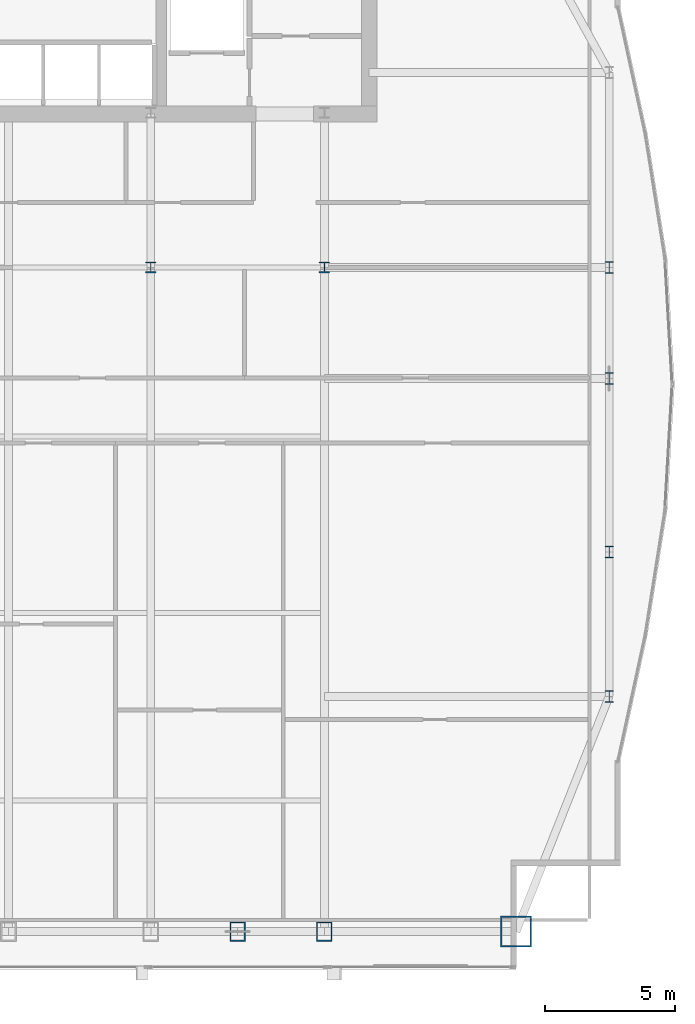
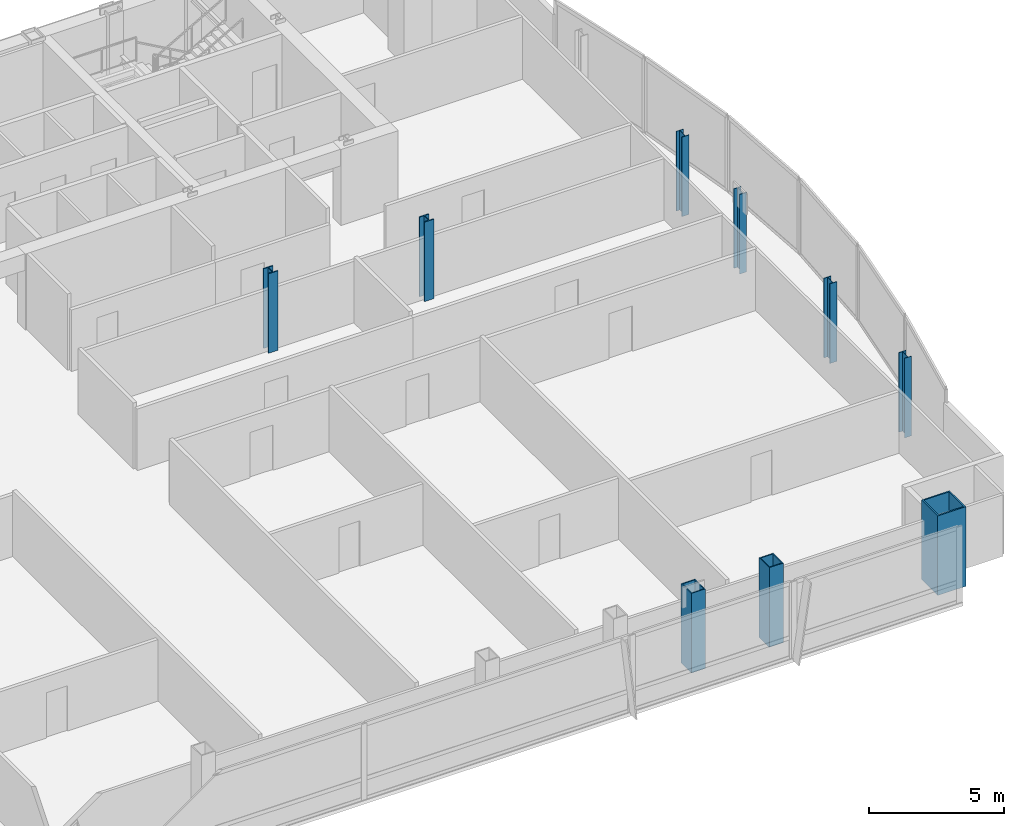
# One storey, part 2 of 30: 9 columns.
"""IFC4 building model written with IfcOpenShell, lengths in metres."""

import ifcopenshell
import ifcopenshell.guid

model = None  # the IFC model being written
_history = None  # IfcOwnerHistory: only IFC2X3 demands one
_inside = {}  # id of a spatial element -> (the spatial element, [elements in it])
_under = {}  # id of a project, library or spatial element -> (it, [spatial elements below it])
_declared = {}  # id of a project -> (the project, [libraries it declares])
_typed = {}  # id of a type object -> (the type object, [elements of that type])
_made_of = {}  # id of a material, layer set ... -> (it, [elements and type objects made of it])


def new_model(schema):
    """Start an empty IFC model of exactly this schema.

    Asked for "IFC4X3", IfcOpenShell would pick the latest addendum, in which some entities
    have other attributes; the version numbers below select the first issue.
    IFC2X3 requires an IfcOwnerHistory on every rooted entity: one is made here for all.
    """
    global model, _history
    if schema == "IFC4X3":
        model = ifcopenshell.file(schema_version=(4, 3, 0, 0))
    else:
        model = ifcopenshell.file(schema=schema)
    _inside.clear()
    _under.clear()
    _declared.clear()
    _typed.clear()
    _made_of.clear()
    _history = None
    if model.schema == "IFC2X3":
        org = make("IfcOrganization", Name="unknown")
        user = make(
            "IfcPersonAndOrganization",
            ThePerson=make("IfcPerson", FamilyName="unknown"),
            TheOrganization=org,
        )
        app = make(
            "IfcApplication",
            ApplicationDeveloper=org,
            Version="unknown",
            ApplicationFullName="unknown",
            ApplicationIdentifier="unknown",
        )
        _history = make(
            "IfcOwnerHistory",
            OwningUser=user,
            OwningApplication=app,
            ChangeAction="ADDED",
            CreationDate=0,
        )
    return model


def make(cls, **values):
    """One entity of the class cls with the attributes given. An attribute that is None is left unset."""
    return model.create_entity(
        cls, **{name: value for name, value in values.items() if value is not None}
    )


def rooted(cls, **values):
    """An entity with a GlobalId (a new one), such as an element, a storey or a relation."""
    return make(cls, GlobalId=ifcopenshell.guid.new(), OwnerHistory=_history, **values)


def si_unit(unit_type, name, prefix=None):
    """IfcSIUnit, for example si_unit("LENGTHUNIT", "METRE", prefix="MILLI")."""
    return make("IfcSIUnit", UnitType=unit_type, Prefix=prefix, Name=name)


def assignment(units):
    """IfcUnitAssignment: the units of a project."""
    return None if units is None else make("IfcUnitAssignment", Units=units)


def point(xyz):
    """IfcCartesianPoint."""
    return None if xyz is None else make("IfcCartesianPoint", Coordinates=xyz)


def direction(xyz):
    """IfcDirection."""
    return None if xyz is None else make("IfcDirection", DirectionRatios=xyz)


def frame(location, z_axis=None, x_axis=None):
    """IfcAxis2Placement3D, a coordinate frame: its origin and axes. An axis left out is left unset."""
    return make(
        "IfcAxis2Placement3D",
        Location=point(location),
        Axis=direction(z_axis),
        RefDirection=direction(x_axis),
    )


def frame_2d(location, x_axis=None):
    """IfcAxis2Placement2D, a coordinate frame in the plane: its origin and x axis."""
    return make(
        "IfcAxis2Placement2D", Location=point(location), RefDirection=direction(x_axis)
    )


def origin():
    """The frame at (0, 0, 0) with its axes left unset."""
    return frame((0.0, 0.0, 0.0))


def origin_2d():
    """The frame at (0, 0) in the plane with its x axis left unset."""
    return frame_2d((0.0, 0.0))


def place(relative_to, where):
    """IfcLocalPlacement: puts the frame where relative to a parent placement (None: the world)."""
    return make(
        "IfcLocalPlacement", PlacementRelTo=relative_to, RelativePlacement=where
    )


def context(
    kind, dimensions, precision=None, world=None, true_north=None, identifier=None
):
    """IfcGeometricRepresentationContext, for example the 3D "Model" context."""
    return make(
        "IfcGeometricRepresentationContext",
        ContextIdentifier=identifier,
        ContextType=kind,
        CoordinateSpaceDimension=dimensions,
        Precision=precision,
        WorldCoordinateSystem=world,
        TrueNorth=true_north,
    )


def subcontext(parent, identifier, kind, view, scale=None):
    """IfcGeometricRepresentationSubContext, for example "Body" below "Model"."""
    return make(
        "IfcGeometricRepresentationSubContext",
        ContextIdentifier=identifier,
        ContextType=kind,
        ParentContext=parent,
        TargetScale=scale,
        TargetView=view,
    )


def project(units=None, contexts=None):
    """IfcProject with its units and contexts."""
    return rooted(
        "IfcProject",
        Name="project",
        RepresentationContexts=contexts,
        UnitsInContext=assignment(units),
    )


def spatial(cls, under=None, at=None, **own):
    """A site, building, storey or space (cls), placed at a placement, below another one or the project."""
    s = rooted(cls, ObjectPlacement=at, **own)
    if under is not None:
        _under.setdefault(under.id(), (under, []))[1].append(s)
    return s


def profile(cls, at=None, kind="AREA", **sizes):
    """A parametric profile (cls). Its sizes go by their IFC names, for example OverallWidth=200.0."""
    return make(cls, ProfileType=kind, Position=at, **sizes)


def hollow_rectangle(**sizes):
    """IfcRectangleHollowProfileDef."""
    return profile("IfcRectangleHollowProfileDef", **sizes)


def i_section(**sizes):
    """IfcIShapeProfileDef."""
    return profile("IfcIShapeProfileDef", **sizes)


def extrude(swept, where, along, depth):
    """IfcExtrudedAreaSolid: the profile swept, set in the frame where, extruded along a direction by depth."""
    return make(
        "IfcExtrudedAreaSolid",
        SweptArea=swept,
        Position=where,
        ExtrudedDirection=direction(along),
        Depth=depth,
    )


def shape(context_of_items, identifier, shape_type, items):
    """IfcShapeRepresentation: the items that make up one representation, for example the "Body"."""
    return make(
        "IfcShapeRepresentation",
        ContextOfItems=context_of_items,
        RepresentationIdentifier=identifier,
        RepresentationType=shape_type,
        Items=items,
    )


def material(Name=None, Category=None):
    """IfcMaterial."""
    return make("IfcMaterial", Name=Name, Category=Category)


def material_profile(
    of_material, cross_section, Name=None, Category=None, Priority=None
):
    """IfcMaterialProfile: a cross section and its material."""
    return make(
        "IfcMaterialProfile",
        Name=Name,
        Material=of_material,
        Profile=cross_section,
        Priority=Priority,
        Category=Category,
    )


def profile_set(profiles, Name=None, composite=None):
    """IfcMaterialProfileSet."""
    return make(
        "IfcMaterialProfileSet",
        Name=Name,
        MaterialProfiles=profiles,
        CompositeProfile=composite,
    )


def made_of(thing, what):
    """Note that an element or type object is made of a material, layer set ...; save() writes the relation."""
    if what is not None:
        _made_of.setdefault(what.id(), (what, []))[1].append(thing)
    return thing


def type_object(cls, material=None, **own):
    """A type object (cls), such as IfcWallType, which elements share."""
    return made_of(rooted(cls, **own), material)


def element(
    cls,
    number,
    at=None,
    inside=None,
    cuts=None,
    type_object=None,
    material=None,
    context=None,
    identifier="Body",
    shape_type=None,
    held_by="IfcProductDefinitionShape",
    body=None,
    shapes=None,
    **own,
):
    """One element of the class cls, such as IfcWall. Its Tag is "e" and its number.

    at: its placement. inside: the storey or other place that contains it. cuts: it is an
    opening in that element (IfcRelVoidsElement). A single representation is given by context,
    identifier, shape_type and body (its items); several are given by shapes. held_by: the class
    of the entity that holds the representations. save() writes the other relations.
    """
    e = rooted(cls, Tag="e%d" % number, ObjectPlacement=at, **own)
    if body is not None:
        shapes = [shape(context, identifier, shape_type, body)]
    if shapes is not None:
        e.Representation = make(held_by, Representations=shapes)
    if inside is not None:
        _inside.setdefault(inside.id(), (inside, []))[1].append(e)
    if cuts is not None:
        rooted(
            "IfcRelVoidsElement", RelatingBuildingElement=cuts, RelatedOpeningElement=e
        )
    if type_object is not None:
        _typed.setdefault(type_object.id(), (type_object, []))[1].append(e)
    return made_of(e, material)


def aggregate(whole, parts):
    """IfcRelAggregates: a whole, such as a stair, and the parts it consists of."""
    return rooted("IfcRelAggregates", RelatingObject=whole, RelatedObjects=parts)


def save(model, path):
    """Write the relations noted so far, then the file.

    IfcRelAggregates (storeys below a building ...), IfcRelContainedInSpatialStructure (elements
    in a storey), IfcRelDefinesByType, IfcRelAssociatesMaterial and IfcRelDeclares: one each for
    every whole, place, type object, material and project.
    """
    for whole, parts in _under.values():
        aggregate(whole, parts)
    for where, things in _inside.values():
        rooted(
            "IfcRelContainedInSpatialStructure",
            RelatedElements=things,
            RelatingStructure=where,
        )
    for kind, things in _typed.values():
        rooted("IfcRelDefinesByType", RelatedObjects=things, RelatingType=kind)
    for what, things in _made_of.values():
        rooted("IfcRelAssociatesMaterial", RelatedObjects=things, RelatingMaterial=what)
    for by, libraries in _declared.values():
        rooted("IfcRelDeclares", RelatingContext=by, RelatedDefinitions=libraries)
    model.write(path)


model = new_model("IFC4")

# Units and contexts
model_context = context("Model", 3, precision=1e-05, world=origin(), true_north=direction((0.0, 1.0)))
body_context = subcontext(model_context, "Body", "Model", "MODEL_VIEW")
ifc_project = project(units=[si_unit("LENGTHUNIT", "METRE"), si_unit("AREAUNIT", "SQUARE_METRE"), si_unit("VOLUMEUNIT", "CUBIC_METRE"), si_unit("PLANEANGLEUNIT", "RADIAN"), si_unit("MASSUNIT", "GRAM", prefix="KILO")], contexts=[model_context])

# Site, building, storey
site_placement = place(None, origin())
site = spatial("IfcSite", under=ifc_project, at=site_placement, CompositionType="ELEMENT")
building_placement = place(site_placement, origin())
building = spatial("IfcBuilding", under=site, at=building_placement, Name="Khoronbel Lancet Exchange", CompositionType="ELEMENT")
storey_placement = place(building_placement, frame((0.0, 0.0, 217.39990234375)))
storey = spatial("IfcBuildingStorey", under=building, at=storey_placement, Name="L55", CompositionType="ELEMENT", Elevation=217.39990234375)

# Columns
ifc_material_1 = material(Name="Steel S460", Category="steel")
ifc_material_profile_1 = material_profile(ifc_material_1, hollow_rectangle(XDim=0.60009765625, YDim=0.75, WallThickness=0.044921875, at=origin_2d()), Name="BOX 750x600x45")
ifc_profile_set_1 = profile_set([ifc_material_profile_1], Name="Steel S460")
column_type_1 = type_object("IfcColumnType", Name="COL-EC3", PredefinedType="COLUMN", material=ifc_profile_set_1)
for number, where, z_axis, x_axis, name in (
    (1, (51.33740234375, 10.14990234375, 0.0), (0.0, 0.0, 1.0), (1.0, 0.0, 0.0), "Structural column SC-EM L55"),
    (2, (54.675048828125, 10.14990234375, 0.0), (0.0, 0.0, 1.0), (1.0, 0.0, 0.0), "Structural column SC-E2 L55"),
):
    element("IfcColumn", number, at=place(storey_placement, frame(where, z_axis=z_axis, x_axis=x_axis)), inside=storey, type_object=column_type_1, Name=name, PredefinedType="COLUMN", context=body_context, shape_type="SweptSolid", body=[
        extrude(hollow_rectangle(XDim=0.60009765625, YDim=0.75, WallThickness=0.044921875, at=origin_2d()), origin(), (0.0, 0.0, 1.0), 3.60009765625),
    ])
ifc_material_2 = material(Name="Steel S355", Category="steel")
ifc_material_profile_2 = material_profile(ifc_material_2, i_section(OverallWidth=0.406005859375, OverallDepth=0.416015625, WebThickness=0.02978515625, FlangeThickness=0.048095703125, at=origin_2d()), Name="HD 400x382")
ifc_profile_set_2 = profile_set([ifc_material_profile_2], Name="Steel S355")
column_type_2 = type_object("IfcColumnType", Name="COL-IC3", PredefinedType="COLUMN", material=ifc_profile_set_2)
for number, where, z_axis, x_axis, name in (
    (3, (48.0, 35.699951171875, 0.0), (0.0, 0.0, 1.0), (1.0, 0.0, 0.0), "Spine gravity column TC3 L55"),
    (4, (54.675048828125, 35.699951171875, 0.0), (0.0, 0.0, 1.0), (1.0, 0.0, 0.0), "Spine gravity column TC4 L55"),
):
    element("IfcColumn", number, at=place(storey_placement, frame(where, z_axis=z_axis, x_axis=x_axis)), inside=storey, type_object=column_type_2, Name=name, PredefinedType="COLUMN", context=body_context, shape_type="SweptSolid", body=[
        extrude(i_section(OverallWidth=0.406005859375, OverallDepth=0.416015625, WebThickness=0.02978515625, FlangeThickness=0.048095703125, at=origin_2d()), origin(), (0.0, 0.0, 1.0), 3.60009765625),
    ])
ifc_material_profile_3 = material_profile(ifc_material_2, i_section(OverallWidth=0.300048828125, OverallDepth=0.449951171875, WebThickness=0.013916015625, FlangeThickness=0.02587890625, at=origin_2d()), Name="HEB 450")
ifc_profile_set_3 = profile_set([ifc_material_profile_3], Name="Steel S355")
column_type_3 = type_object("IfcColumnType", Name="COL-LC2", PredefinedType="COLUMN", material=ifc_profile_set_3)
for number, where, z_axis, x_axis, name in (
    (5, (65.6298828125, 19.199951171875, 0.0), (0.0, 0.0, 1.0), (1.0, 0.0, 0.0), "Structural column EC-1 L55"),
    (6, (65.6298828125, 24.75, 0.0), (0.0, 0.0, 1.0), (1.0, 0.0, 0.0), "Structural column EC-2 L55"),
    (7, (65.6298828125, 31.425048828125, 0.0), (0.0, 0.0, 1.0), (1.0, 0.0, 0.0), "Structural column EC-M L55"),
    (8, (65.6298828125, 35.699951171875, 0.0), (0.0, 0.0, 1.0), (1.0, 0.0, 0.0), "Structural column EC-3 L55"),
):
    element("IfcColumn", number, at=place(storey_placement, frame(where, z_axis=z_axis, x_axis=x_axis)), inside=storey, type_object=column_type_3, Name=name, PredefinedType="COLUMN", context=body_context, shape_type="SweptSolid", body=[
        extrude(i_section(OverallWidth=0.300048828125, OverallDepth=0.449951171875, WebThickness=0.013916015625, FlangeThickness=0.02587890625, at=origin_2d()), origin(), (0.0, 0.0, 1.0), 3.60009765625),
    ])
ifc_material_profile_4 = material_profile(ifc_material_1, hollow_rectangle(XDim=1.199951171875, YDim=1.199951171875, WallThickness=0.06005859375, at=origin_2d()), Name="BOX 1200x1200x60")
ifc_profile_set_4 = profile_set([ifc_material_profile_4], Name="Steel S460")
column_type_4 = type_object("IfcColumnType", Name="COL-MC5", PredefinedType="COLUMN", material=ifc_profile_set_4)
column_placement = place(storey_placement, frame((62.050048828125, 10.14990234375, 0.0), z_axis=(0.0, 0.0, 1.0), x_axis=(1.0, 0.0, 0.0)))
element("IfcColumn", 9, at=column_placement, inside=storey, type_object=column_type_4, Name="Structural column MC-SE L55", PredefinedType="COLUMN", context=body_context, shape_type="SweptSolid", body=[
    extrude(hollow_rectangle(XDim=1.199951171875, YDim=1.199951171875, WallThickness=0.06005859375, at=origin_2d()), origin(), (0.0, 0.0, 1.0), 3.60009765625),
])

save(model, "model.ifc")
